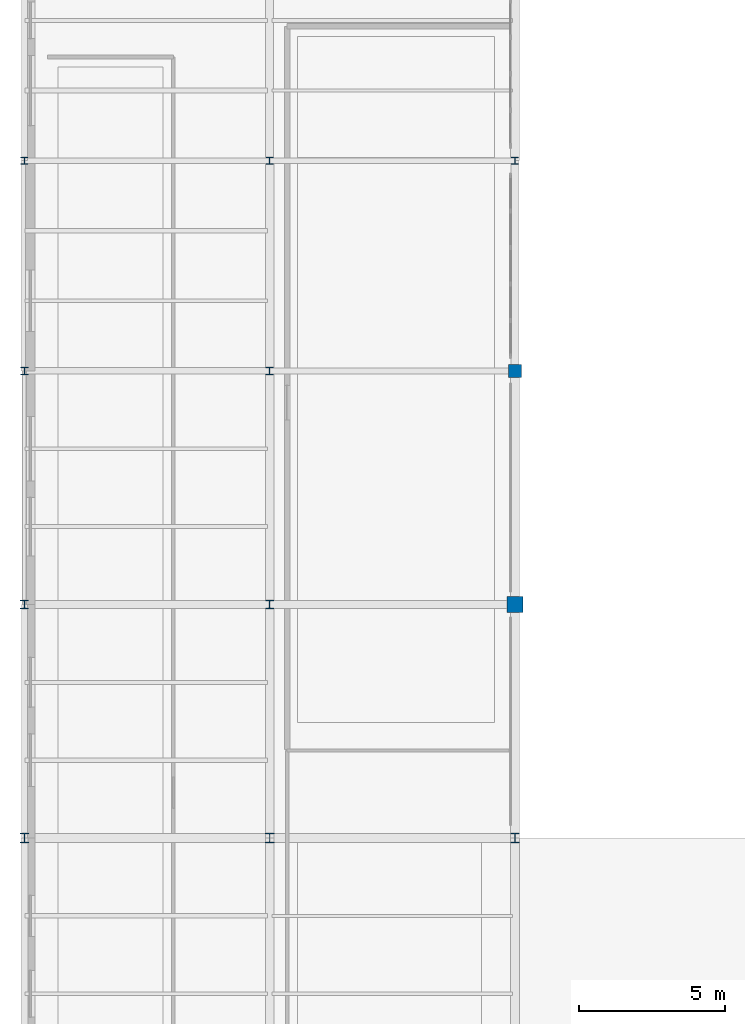
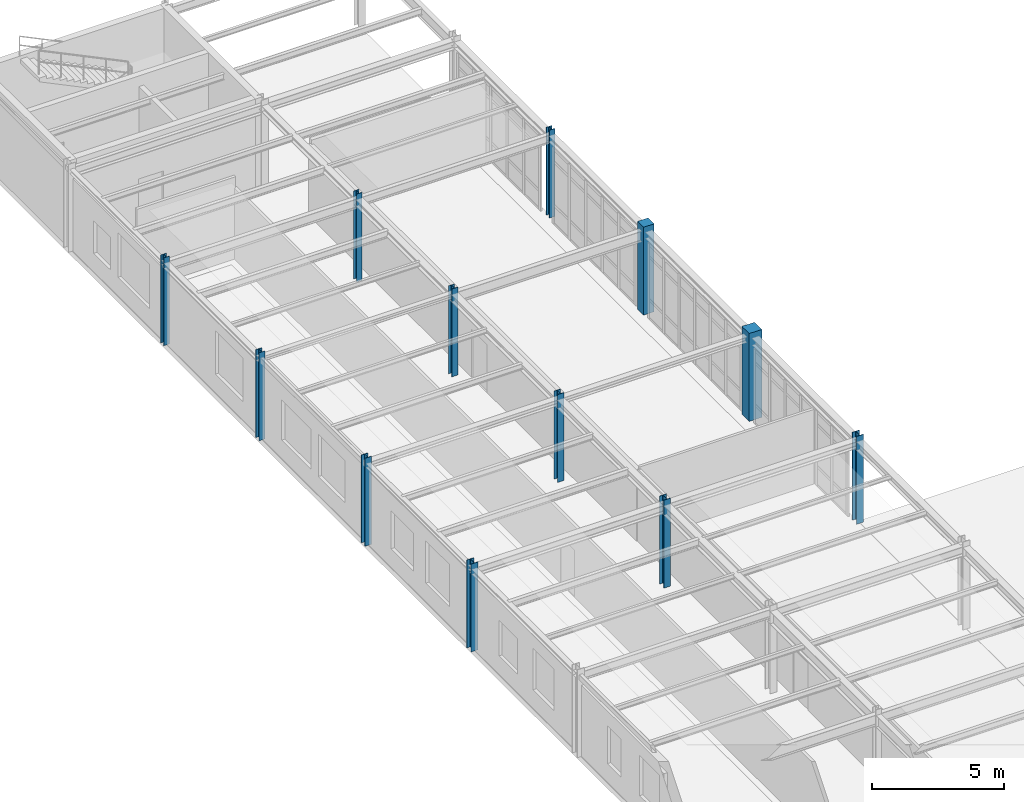
# One storey, part 3 of 58: 12 columns.
"""IFC4 building model written with IfcOpenShell, lengths in metres."""

from ifc_helpers import new_model, si_unit, derived_unit, direction, frame, origin, origin_2d, place, context, subcontext, project, spatial, rectangle, i_section, extrude, material, material_profile, profile_set, type_object, element, save


model = new_model("IFC4")

# Units and contexts
model_context = context("Model", 3, precision=1e-05, world=origin(), true_north=direction((0.0, 1.0)))
body_context = subcontext(model_context, "Body", "Model", "MODEL_VIEW")
ifc_project = project(units=[si_unit("LENGTHUNIT", "METRE"), si_unit("AREAUNIT", "SQUARE_METRE"), si_unit("VOLUMEUNIT", "CUBIC_METRE"), si_unit("PLANEANGLEUNIT", "RADIAN"), si_unit("MASSUNIT", "GRAM", prefix="KILO"), derived_unit("THERMALTRANSMITTANCEUNIT", [(si_unit("POWERUNIT", "WATT"), 1), (si_unit("AREAUNIT", "SQUARE_METRE"), -1), (si_unit("THERMODYNAMICTEMPERATUREUNIT", "KELVIN"), -1)])], contexts=[model_context])

# Site, building, storey
site_placement = place(None, origin())
site = spatial("IfcSite", under=ifc_project, at=site_placement, CompositionType="ELEMENT")
building_placement = place(site_placement, origin())
building = spatial("IfcBuilding", under=site, at=building_placement, Name="Yasenodar Specialist Clinic", CompositionType="ELEMENT")
storey_placement = place(building_placement, frame((0.0, 0.0, 17.25)))
storey = spatial("IfcBuildingStorey", under=building, at=storey_placement, Name="L04", CompositionType="ELEMENT", Elevation=17.25)

# Columns
ifc_material_1 = material(Name="Concrete C35/45", Category="concrete")
ifc_material_profile_1 = material_profile(ifc_material_1, rectangle(XDim=0.449951171875, YDim=0.449951171875, at=origin_2d()), Name="RC 450x450")
ifc_profile_set_1 = profile_set([ifc_material_profile_1], Name="Concrete C35/45")
column_type_1 = type_object("IfcColumnType", Name="COL-RC-450", PredefinedType="COLUMN", material=ifc_profile_set_1)
column_1_placement = place(storey_placement, frame((16.800048828125, 82.800048828125, 0.0), z_axis=(0.0, 0.0, 1.0), x_axis=(1.0, 0.0, 0.0)))
element("IfcColumn", 1, at=column_1_placement, inside=storey, type_object=column_type_1, Name="L04 Column V4-041", PredefinedType="COLUMN", context=body_context, shape_type="SweptSolid", body=[
    extrude(rectangle(XDim=0.449951171875, YDim=0.449951171875, at=origin_2d()), origin(), (0.0, 0.0, 1.0), 4.050048828125),
])
ifc_material_profile_2 = material_profile(ifc_material_1, rectangle(XDim=0.550048828125, YDim=0.550048828125, at=origin_2d()), Name="RC 550x550")
ifc_profile_set_2 = profile_set([ifc_material_profile_2], Name="Concrete C35/45")
column_type_2 = type_object("IfcColumnType", Name="COL-RC-550", PredefinedType="COLUMN", material=ifc_profile_set_2)
column_2_placement = place(storey_placement, frame((16.800048828125, 74.800048828125, 0.0), z_axis=(0.0, 0.0, 1.0), x_axis=(1.0, 0.0, 0.0)))
element("IfcColumn", 2, at=column_2_placement, inside=storey, type_object=column_type_2, Name="L04 Column V4-040", PredefinedType="COLUMN", context=body_context, shape_type="SweptSolid", body=[
    extrude(rectangle(XDim=0.550048828125, YDim=0.550048828125, at=origin_2d()), origin(), (0.0, 0.0, 1.0), 4.050048828125),
])
ifc_material_2 = material(Name="Steel S355", Category="steel")
ifc_material_profile_3 = material_profile(ifc_material_2, i_section(OverallWidth=0.300048828125, OverallDepth=0.330078125, WebThickness=0.009521484375, FlangeThickness=0.0166015625, FilletRadius=0.027099609375, at=origin_2d()), Name="HEA 340")
ifc_profile_set_3 = profile_set([ifc_material_profile_3], Name="Steel S355")
column_type_3 = type_object("IfcColumnType", Name="COL-ST-HEA340", PredefinedType="COLUMN", material=ifc_profile_set_3)
for number, where, z_axis, x_axis, name in (
    (3, (0.0, 66.800048828125, 0.0), (0.0, 0.0, 1.0), (1.0, 0.0, 0.0), "L04 Column V4-009"),
    (4, (8.39990234375, 66.800048828125, 0.0), (0.0, 0.0, 1.0), (1.0, 0.0, 0.0), "L04 Column V4-024"),
    (5, (16.800048828125, 66.800048828125, 0.0), (0.0, 0.0, 1.0), (1.0, 0.0, 0.0), "L04 Column V4-039"),
):
    element("IfcColumn", number, at=place(storey_placement, frame(where, z_axis=z_axis, x_axis=x_axis)), inside=storey, type_object=column_type_3, Name=name, PredefinedType="COLUMN", context=body_context, shape_type="SweptSolid", body=[
        extrude(i_section(OverallWidth=0.300048828125, OverallDepth=0.330078125, WebThickness=0.009521484375, FlangeThickness=0.0166015625, FilletRadius=0.027099609375, at=origin_2d()), origin(), (0.0, 0.0, 1.0), 4.050048828125),
    ])
ifc_material_profile_4 = material_profile(ifc_material_2, i_section(OverallWidth=0.239990234375, OverallDepth=0.239990234375, WebThickness=0.010009765625, FlangeThickness=0.01708984375, FilletRadius=0.02099609375, at=origin_2d()), Name="HEB 240")
ifc_profile_set_4 = profile_set([ifc_material_profile_4], Name="Steel S355")
column_type_4 = type_object("IfcColumnType", Name="COL-ST-HEB240", PredefinedType="COLUMN", material=ifc_profile_set_4)
for number, where, z_axis, x_axis, name in (
    (6, (0.0, 90.0, 0.0), (0.0, 0.0, 1.0), (1.0, 0.0, 0.0), "L04 Column V4-012"),
    (7, (8.39990234375, 90.0, 0.0), (0.0, 0.0, 1.0), (1.0, 0.0, 0.0), "L04 Column V4-027"),
    (8, (16.800048828125, 90.0, 0.0), (0.0, 0.0, 1.0), (1.0, 0.0, 0.0), "L04 Column V4-042"),
):
    element("IfcColumn", number, at=place(storey_placement, frame(where, z_axis=z_axis, x_axis=x_axis)), inside=storey, type_object=column_type_4, Name=name, PredefinedType="COLUMN", context=body_context, shape_type="SweptSolid", body=[
        extrude(i_section(OverallWidth=0.239990234375, OverallDepth=0.239990234375, WebThickness=0.010009765625, FlangeThickness=0.01708984375, FilletRadius=0.02099609375, at=origin_2d()), origin(), (0.0, 0.0, 1.0), 4.050048828125),
    ])
ifc_material_profile_5 = material_profile(ifc_material_2, i_section(OverallWidth=0.260009765625, OverallDepth=0.260009765625, WebThickness=0.010009765625, FlangeThickness=0.017578125, FilletRadius=0.02392578125, at=origin_2d()), Name="HEB 260")
ifc_profile_set_5 = profile_set([ifc_material_profile_5], Name="Steel S355")
column_type_5 = type_object("IfcColumnType", Name="COL-ST-HEB260", PredefinedType="COLUMN", material=ifc_profile_set_5)
for number, where, z_axis, x_axis, name in (
    (9, (0.0, 82.800048828125, 0.0), (0.0, 0.0, 1.0), (1.0, 0.0, 0.0), "L04 Column V4-011"),
    (10, (8.39990234375, 82.800048828125, 0.0), (0.0, 0.0, 1.0), (1.0, 0.0, 0.0), "L04 Column V4-026"),
):
    element("IfcColumn", number, at=place(storey_placement, frame(where, z_axis=z_axis, x_axis=x_axis)), inside=storey, type_object=column_type_5, Name=name, PredefinedType="COLUMN", context=body_context, shape_type="SweptSolid", body=[
        extrude(i_section(OverallWidth=0.260009765625, OverallDepth=0.260009765625, WebThickness=0.010009765625, FlangeThickness=0.017578125, FilletRadius=0.02392578125, at=origin_2d()), origin(), (0.0, 0.0, 1.0), 4.050048828125),
    ])
ifc_material_profile_6 = material_profile(ifc_material_2, i_section(OverallWidth=0.280029296875, OverallDepth=0.280029296875, WebThickness=0.010498046875, FlangeThickness=0.01806640625, FilletRadius=0.02392578125, at=origin_2d()), Name="HEB 280")
ifc_profile_set_6 = profile_set([ifc_material_profile_6], Name="Steel S355")
column_type_6 = type_object("IfcColumnType", Name="COL-ST-HEB280", PredefinedType="COLUMN", material=ifc_profile_set_6)
for number, where, z_axis, x_axis, name in (
    (11, (0.0, 74.800048828125, 0.0), (0.0, 0.0, 1.0), (1.0, 0.0, 0.0), "L04 Column V4-010"),
    (12, (8.39990234375, 74.800048828125, 0.0), (0.0, 0.0, 1.0), (1.0, 0.0, 0.0), "L04 Column V4-025"),
):
    element("IfcColumn", number, at=place(storey_placement, frame(where, z_axis=z_axis, x_axis=x_axis)), inside=storey, type_object=column_type_6, Name=name, PredefinedType="COLUMN", context=body_context, shape_type="SweptSolid", body=[
        extrude(i_section(OverallWidth=0.280029296875, OverallDepth=0.280029296875, WebThickness=0.010498046875, FlangeThickness=0.01806640625, FilletRadius=0.02392578125, at=origin_2d()), origin(), (0.0, 0.0, 1.0), 4.050048828125),
    ])

save(model, "model.ifc")
